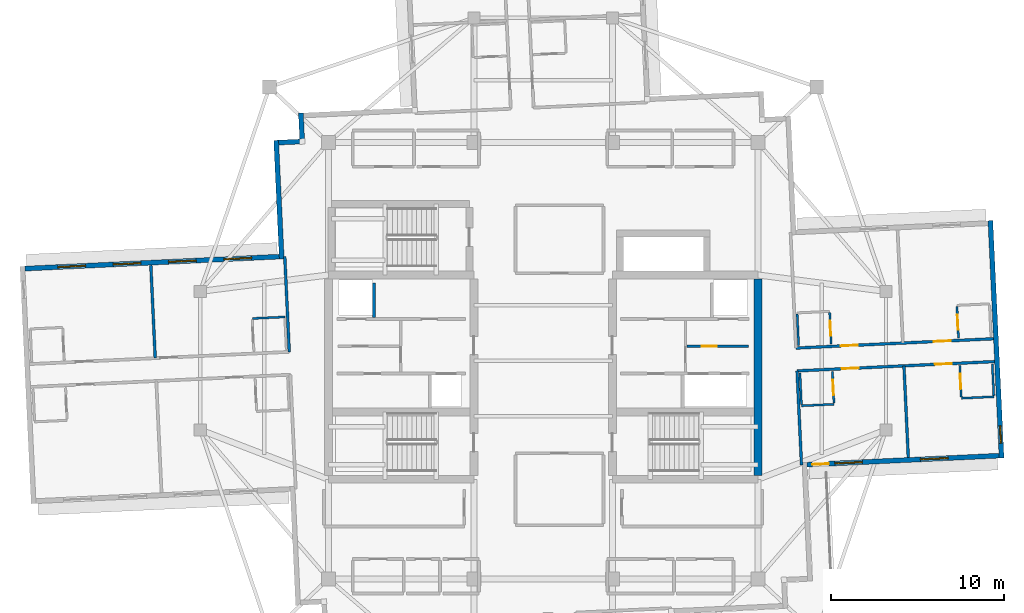
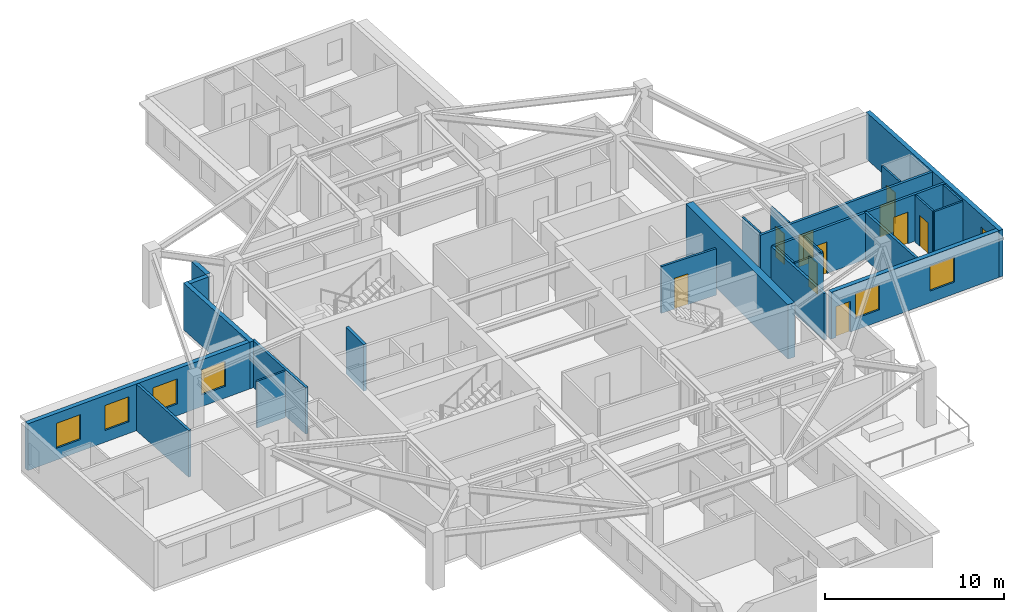
# One storey, part 6 of 13: 25 walls, 10 doors, 7 windows, 17 openings.
"""IFC4 building model written with IfcOpenShell, lengths in metres."""

from ifc_helpers import new_model, si_unit, direction, frame, frame_2d, origin, place, context, subcontext, project, spatial, rectangle, extrude, material, layer, layer_set, type_object, element, fill, save


model = new_model("IFC4")

# Units and contexts
model_context = context("Model", 3, precision=1e-05, world=origin(), true_north=direction((0.0, 1.0)))
body_context = subcontext(model_context, "Body", "Model", "MODEL_VIEW")
ifc_project = project(units=[si_unit("LENGTHUNIT", "METRE"), si_unit("AREAUNIT", "SQUARE_METRE"), si_unit("VOLUMEUNIT", "CUBIC_METRE"), si_unit("PLANEANGLEUNIT", "RADIAN"), si_unit("MASSUNIT", "GRAM", prefix="KILO")], contexts=[model_context])

# Site, building, storey
site_placement = place(None, origin())
site = spatial("IfcSite", under=ifc_project, at=site_placement, CompositionType="ELEMENT")
building_placement = place(site_placement, origin())
building = spatial("IfcBuilding", under=site, at=building_placement, Name="Qingluan Cross Belvedere", CompositionType="ELEMENT")
storey_placement = place(building_placement, frame((0.0, 0.0, 277.199951171875)))
storey = spatial("IfcBuildingStorey", under=building, at=storey_placement, Name="L69", CompositionType="ELEMENT", Elevation=277.199951171875)

# Wall
ifc_material_1 = material(Name="Concrete C50", Category="concrete")
ifc_layer_1 = layer(ifc_material_1, 0.449951171875, Name="CoreShearWall_450")
ifc_layer_set_1 = layer_set([ifc_layer_1], Name="Concrete C50")
wall_type_1 = type_object("IfcWallType", Name="CoreShearWall_450", PredefinedType="SHEAR", material=ifc_layer_set_1)
wall_1_placement = place(storey_placement, frame((12.39990234375, -6.6201171875, 0.0), z_axis=(0.0, 0.0, 1.0), x_axis=(0.0, 1.0, 0.0)))
element("IfcWall", 1, at=wall_1_placement, inside=storey, type_object=wall_type_1, Name="Split core E shear wall L69-E", PredefinedType="SHEAR", context=body_context, shape_type="SweptSolid", body=[
    extrude(rectangle(XDim=11.340087890625, YDim=0.449951171875, at=frame_2d((5.669921875, 0.0))), origin(), (0.0, 0.0, 1.0), 3.699951171875),
])

# Wall, opening, door
ifc_material_2 = material(Name="Gypsum plasterboard on steel stud acoustic partition", Category="steel")
ifc_layer_2 = layer(ifc_material_2, 0.159912109375, Name="CorridorPartition_160")
ifc_layer_set_2 = layer_set([ifc_layer_2], Name="Gypsum plasterboard on steel stud acoustic partition")
wall_type_2 = type_object("IfcWallType", Name="CorridorPartition_160", PredefinedType="PARTITIONING", material=ifc_layer_set_2)
wall_2_placement = place(storey_placement, frame((8.298095703125, 0.830078125, 0.0), z_axis=(0.0, 0.0, 1.0), x_axis=(1.0, 0.0, 0.0)))
wall_2 = element("IfcWall", 2, at=wall_2_placement, inside=storey, type_object=wall_type_2, Name="Partition L69:e", PredefinedType="PARTITIONING", context=body_context, shape_type="SweptSolid", body=[
    extrude(rectangle(XDim=3.552001953125, YDim=0.139892578125, at=frame_2d((1.77587890625, 0.0))), origin(), (0.0, 0.0, 1.0), 3.170166015625),
])
opening_1_placement = place(wall_2_placement, frame((0.85009765625, 0.0, 0.0)))
opening_1 = element("IfcOpeningElement", 3, at=opening_1_placement, cuts=wall_2, Name="Opening FD-B10", PredefinedType="OPENING", context=body_context, shape_type="SweptSolid", body=[
    extrude(rectangle(XDim=0.8798828125, YDim=2.10009765625, at=frame_2d((0.43994140625, 1.050048828125))), frame((0.0, 0.079833984375, 0.0), z_axis=(0.0, -1.0, 0.0), x_axis=(1.0, 0.0, 0.0)), (0.0, 0.0, 1.0), 0.159912109375),
])
ifc_material_3 = material(Name="Steel Class B service fire door", Category="steel")
door_type_1 = type_object("IfcDoorType", Name="RiserServiceFireDoor_FDB", OperationType="NOTDEFINED", PredefinedType="DOOR", material=ifc_material_3)
door_1_placement = place(opening_1_placement, origin())
door_1 = element("IfcDoor", 4, at=door_1_placement, inside=storey, type_object=door_type_1, Name="Service closet inner door L69", OperationType="SINGLE_SWING_LEFT", OverallHeight=2.10009765625, OverallWidth=0.8798828125, PredefinedType="DOOR", context=body_context, shape_type="SweptSolid", body=[
    extrude(rectangle(XDim=0.8798828125, YDim=2.10009765625, at=frame_2d((0.43994140625, 1.050048828125))), frame((0.0, 0.02490234375, 0.0), z_axis=(0.0, -1.0, 0.0), x_axis=(1.0, 0.0, 0.0)), (0.0, 0.0, 1.0), 0.050048828125),
])
fill(opening_1, door_1)

# Wall, openings, doors
wall_3_placement = place(storey_placement, frame((14.601806640625, 0.728759765625, 0.0), z_axis=(0.0, 0.0, 1.0), x_axis=(0.998890819817, 0.047086410829, 0.0)))
wall_3 = element("IfcWall", 5, at=wall_3_placement, inside=storey, type_object=wall_type_2, Name="Partition L69:E:c0", PredefinedType="PARTITIONING", context=body_context, shape_type="SweptSolid", body=[
    extrude(rectangle(XDim=11.412109375, YDim=0.159912109375, at=frame_2d((5.7060546875, 0.0))), origin(), (0.0, 0.0, 1.0), 3.170166015625),
])
opening_2_placement = place(wall_3_placement, frame((2.597900390625, 0.0, 0.0)))
opening_2 = element("IfcOpeningElement", 6, at=opening_2_placement, cuts=wall_3, Name="Opening GD-10", PredefinedType="OPENING", context=body_context, shape_type="SweptSolid", body=[
    extrude(rectangle(XDim=0.9599609375, YDim=2.14990234375, at=frame_2d((0.47998046875, 1.074951171875))), frame((0.0, 0.08984375, 0.0), z_axis=(0.0, -1.0, 0.0), x_axis=(1.0, 0.0, 0.0)), (0.0, 0.0, 1.0), 0.179931640625),
])
opening_3_placement = place(wall_3_placement, frame((7.97412109375, 0.0, 0.0)))
opening_3 = element("IfcOpeningElement", 7, at=opening_3_placement, cuts=wall_3, Name="Opening GD-10", PredefinedType="OPENING", context=body_context, shape_type="SweptSolid", body=[
    extrude(rectangle(XDim=0.9599609375, YDim=2.14990234375, at=frame_2d((0.47998046875, 1.074951171875))), frame((0.0, 0.08984375, 0.0), z_axis=(0.0, -1.0, 0.0), x_axis=(1.0, 0.0, 0.0)), (0.0, 0.0, 1.0), 0.179931640625),
])
ifc_material_4 = material(Name="Timber oak fire-rated acoustic guestroom door", Category="wood")
door_type_2 = type_object("IfcDoorType", Name="GuestEntryDoor_FD60", OperationType="NOTDEFINED", PredefinedType="DOOR", material=ifc_material_4)
door_2_placement = place(opening_2_placement, origin())
door_2 = element("IfcDoor", 8, at=door_2_placement, inside=storey, type_object=door_type_2, Name="Guest entry fire door 6901", OperationType="SINGLE_SWING_LEFT", OverallHeight=2.14990234375, OverallWidth=0.9599609375, PredefinedType="DOOR", context=body_context, shape_type="SweptSolid", body=[
    extrude(rectangle(XDim=0.9599609375, YDim=2.14990234375, at=frame_2d((0.47998046875, 1.074951171875))), frame((0.0, 0.02490234375, 0.0), z_axis=(0.0, -1.0, 0.0), x_axis=(1.0, 0.0, 0.0)), (0.0, 0.0, 1.0), 0.050048828125),
])
fill(opening_2, door_2)
door_3_placement = place(opening_3_placement, origin())
door_3 = element("IfcDoor", 9, at=door_3_placement, inside=storey, type_object=door_type_2, Name="Guest entry fire door 6902", OperationType="SINGLE_SWING_LEFT", OverallHeight=2.14990234375, OverallWidth=0.9599609375, PredefinedType="DOOR", context=body_context, shape_type="SweptSolid", body=[
    extrude(rectangle(XDim=0.9599609375, YDim=2.14990234375, at=frame_2d((0.47998046875, 1.074951171875))), frame((0.0, 0.02490234375, 0.0), z_axis=(0.0, -1.0, 0.0), x_axis=(1.0, 0.0, 0.0)), (0.0, 0.0, 1.0), 0.050048828125),
])
fill(opening_3, door_3)

wall_4_placement = place(storey_placement, frame((14.6640625, -0.58984375, 0.0), z_axis=(0.0, 0.0, 1.0), x_axis=(0.998889813379, 0.047107756555, 0.0)))
wall_4 = element("IfcWall", 10, at=wall_4_placement, inside=storey, type_object=wall_type_2, Name="Partition L69:E:c1", PredefinedType="PARTITIONING", context=body_context, shape_type="SweptSolid", body=[
    extrude(rectangle(XDim=11.412109375, YDim=0.159912109375, at=frame_2d((5.7060546875, 0.0))), origin(), (0.0, 0.0, 1.0), 3.170166015625),
])
opening_4_placement = place(wall_4_placement, frame((2.597900390625, 0.0, 0.0)))
opening_4 = element("IfcOpeningElement", 11, at=opening_4_placement, cuts=wall_4, Name="Opening GD-10", PredefinedType="OPENING", context=body_context, shape_type="SweptSolid", body=[
    extrude(rectangle(XDim=0.9599609375, YDim=2.14990234375, at=frame_2d((0.47998046875, 1.074951171875))), frame((0.0, 0.08984375, 0.0), z_axis=(0.0, -1.0, 0.0), x_axis=(1.0, 0.0, 0.0)), (0.0, 0.0, 1.0), 0.179931640625),
])
opening_5_placement = place(wall_4_placement, frame((7.97412109375, 0.0, 0.0)))
opening_5 = element("IfcOpeningElement", 12, at=opening_5_placement, cuts=wall_4, Name="Opening GD-10", PredefinedType="OPENING", context=body_context, shape_type="SweptSolid", body=[
    extrude(rectangle(XDim=0.9599609375, YDim=2.14990234375, at=frame_2d((0.47998046875, 1.074951171875))), frame((0.0, 0.08984375, 0.0), z_axis=(0.0, -1.0, 0.0), x_axis=(1.0, 0.0, 0.0)), (0.0, 0.0, 1.0), 0.179931640625),
])
door_4_placement = place(opening_4_placement, origin())
door_4 = element("IfcDoor", 13, at=door_4_placement, inside=storey, type_object=door_type_2, Name="Guest entry fire door 6903", OperationType="SINGLE_SWING_LEFT", OverallHeight=2.14990234375, OverallWidth=0.9599609375, PredefinedType="DOOR", context=body_context, shape_type="SweptSolid", body=[
    extrude(rectangle(XDim=0.9599609375, YDim=2.14990234375, at=frame_2d((0.47998046875, 1.074951171875))), frame((0.0, 0.02490234375, 0.0), z_axis=(0.0, -1.0, 0.0), x_axis=(1.0, 0.0, 0.0)), (0.0, 0.0, 1.0), 0.050048828125),
])
fill(opening_4, door_4)
door_5_placement = place(opening_5_placement, origin())
door_5 = element("IfcDoor", 14, at=door_5_placement, inside=storey, type_object=door_type_2, Name="Guest entry fire door 6904", OperationType="SINGLE_SWING_LEFT", OverallHeight=2.14990234375, OverallWidth=0.9599609375, PredefinedType="DOOR", context=body_context, shape_type="SweptSolid", body=[
    extrude(rectangle(XDim=0.9599609375, YDim=2.14990234375, at=frame_2d((0.47998046875, 1.074951171875))), frame((0.0, 0.02490234375, 0.0), z_axis=(0.0, -1.0, 0.0), x_axis=(1.0, 0.0, 0.0)), (0.0, 0.0, 1.0), 0.050048828125),
])
fill(opening_5, door_5)

# Walls
wall_5_placement = place(storey_placement, frame((14.6640625, -0.58984375, 0.0), z_axis=(0.0, 0.0, 1.0), x_axis=(0.047123759333, -0.998889058558, 0.0)))
element("IfcWall", 15, at=wall_5_placement, inside=storey, type_object=wall_type_2, Name="Partition L69:E:s1", PredefinedType="PARTITIONING", context=body_context, shape_type="SweptSolid", body=[
    extrude(rectangle(XDim=5.43994140625, YDim=0.159912109375, at=frame_2d((2.719970703125, 0.0))), origin(), (0.0, 0.0, 1.0), 3.170166015625),
])
wall_6_placement = place(storey_placement, frame((20.837158203125, -0.298828125, 0.0), z_axis=(0.0, 0.0, 1.0), x_axis=(0.04710265772, -0.998890053828, 0.0)))
element("IfcWall", 16, at=wall_6_placement, inside=storey, type_object=wall_type_2, Name="Partition L69:E:d1_0", PredefinedType="PARTITIONING", context=body_context, shape_type="SweptSolid", body=[
    extrude(rectangle(XDim=5.2919921875, YDim=0.159912109375, at=frame_2d((2.64599609375, 0.0))), origin(), (0.0, 0.0, 1.0), 3.170166015625),
])
wall_7_placement = place(storey_placement, frame((-14.660400390625, 0.510009765625, 0.0), z_axis=(0.0, 0.0, 1.0), x_axis=(-0.04710493239, 0.998889946563, 0.0)))
element("IfcWall", 17, at=wall_7_placement, inside=storey, type_object=wall_type_2, Name="Partition L69:W:s0", PredefinedType="PARTITIONING", context=body_context, shape_type="SweptSolid", body=[
    extrude(rectangle(XDim=5.519775390625, YDim=0.159912109375, at=frame_2d((2.759765625, 0.0))), origin(), (0.0, 0.0, 1.0), 3.170166015625),
])
wall_8_placement = place(storey_placement, frame((-22.401611328125, 0.14501953125, 0.0), z_axis=(0.0, 0.0, 1.0), x_axis=(-0.047128973049, 0.998888812581, 0.0)))
element("IfcWall", 18, at=wall_8_placement, inside=storey, type_object=wall_type_2, Name="Partition L69:W:d0_0", PredefinedType="PARTITIONING", context=body_context, shape_type="SweptSolid", body=[
    extrude(rectangle(XDim=5.371826171875, YDim=0.159912109375, at=frame_2d((2.68603515625, 0.0))), origin(), (0.0, 0.0, 1.0), 3.170166015625),
])

# Wall, opening, door
ifc_material_5 = material(Name="Moisture-resistant gypsum board lining")
ifc_layer_3 = layer(ifc_material_5, 0.1201171875, Name="EnsuiteWetPartition_120")
ifc_layer_set_3 = layer_set([ifc_layer_3], Name="Moisture-resistant gypsum board lining")
wall_type_3 = type_object("IfcWallType", Name="EnsuiteWetPartition_120", PredefinedType="PARTITIONING", material=ifc_layer_set_3)
wall_9_placement = place(storey_placement, frame((16.633056640625, 0.964599609375, 0.0), z_axis=(0.0, 0.0, 1.0), x_axis=(-0.047080807099, 0.998891083954, 0.0)))
wall_9 = element("IfcWall", 19, at=wall_9_placement, inside=storey, type_object=wall_type_3, Name="Partition L69:E:bs0_0", PredefinedType="PARTITIONING", context=body_context, shape_type="SweptSolid", body=[
    extrude(rectangle(XDim=1.820068359375, YDim=0.1201171875, at=frame_2d((0.91015625, 0.0))), origin(), (0.0, 0.0, 1.0), 3.170166015625),
])
opening_6_placement = place(wall_9_placement, frame((0.469970703125, 0.0, 0.0)))
opening_6 = element("IfcOpeningElement", 20, at=opening_6_placement, cuts=wall_9, Name="Opening BD-09", PredefinedType="OPENING", context=body_context, shape_type="SweptSolid", body=[
    extrude(rectangle(XDim=0.8798828125, YDim=2.10009765625, at=frame_2d((0.43994140625, 1.050048828125))), frame((0.0, 0.070068359375, 0.0), z_axis=(0.0, -1.0, 0.0), x_axis=(1.0, 0.0, 0.0)), (0.0, 0.0, 1.0), 0.14013671875),
])
ifc_material_6 = material(Name="Moisture-sealed timber en-suite door", Category="wood")
door_type_3 = type_object("IfcDoorType", Name="BathroomDoor_880", OperationType="NOTDEFINED", PredefinedType="DOOR", material=ifc_material_6)
door_6_placement = place(opening_6_placement, origin())
door_6 = element("IfcDoor", 21, at=door_6_placement, inside=storey, type_object=door_type_3, Name="Bathroom door 6901", OperationType="SINGLE_SWING_RIGHT", OverallHeight=2.10009765625, OverallWidth=0.8798828125, PredefinedType="DOOR", context=body_context, shape_type="SweptSolid", body=[
    extrude(rectangle(XDim=0.8798828125, YDim=2.10009765625, at=frame_2d((0.43994140625, 1.050048828125))), frame((0.0, 0.02490234375, 0.0), z_axis=(0.0, -1.0, 0.0), x_axis=(1.0, 0.0, 0.0)), (0.0, 0.0, 1.0), 0.050048828125),
])
fill(opening_6, door_6)

# Wall
wall_10_placement = place(storey_placement, frame((14.755126953125, 0.8759765625, 0.0), z_axis=(0.0, 0.0, 1.0), x_axis=(-0.047080807099, 0.998891083954, 0.0)))
element("IfcWall", 22, at=wall_10_placement, inside=storey, type_object=wall_type_3, Name="Partition L69:E:bw0_0", PredefinedType="PARTITIONING", context=body_context, shape_type="SweptSolid", body=[
    extrude(rectangle(XDim=1.820068359375, YDim=0.1201171875, at=frame_2d((0.91015625, 0.0))), origin(), (0.0, 0.0, 1.0), 3.170166015625),
])

# Wall, opening, door
wall_11_placement = place(storey_placement, frame((23.98486328125, 1.311279296875, 0.0), z_axis=(0.0, 0.0, 1.0), x_axis=(-0.047080807099, 0.998891083954, 0.0)))
wall_11 = element("IfcWall", 23, at=wall_11_placement, inside=storey, type_object=wall_type_3, Name="Partition L69:E:bs0_1", PredefinedType="PARTITIONING", context=body_context, shape_type="SweptSolid", body=[
    extrude(rectangle(XDim=1.820068359375, YDim=0.1201171875, at=frame_2d((0.91015625, 0.0))), origin(), (0.0, 0.0, 1.0), 3.170166015625),
])
opening_7_placement = place(wall_11_placement, frame((0.469970703125, 0.0, 0.0)))
opening_7 = element("IfcOpeningElement", 24, at=opening_7_placement, cuts=wall_11, Name="Opening BD-09", PredefinedType="OPENING", context=body_context, shape_type="SweptSolid", body=[
    extrude(rectangle(XDim=0.8798828125, YDim=2.10009765625, at=frame_2d((0.43994140625, 1.050048828125))), frame((0.0, 0.070068359375, 0.0), z_axis=(0.0, -1.0, 0.0), x_axis=(1.0, 0.0, 0.0)), (0.0, 0.0, 1.0), 0.14013671875),
])
door_7_placement = place(opening_7_placement, origin())
door_7 = element("IfcDoor", 25, at=door_7_placement, inside=storey, type_object=door_type_3, Name="Bathroom door 6902", OperationType="SINGLE_SWING_RIGHT", OverallHeight=2.10009765625, OverallWidth=0.8798828125, PredefinedType="DOOR", context=body_context, shape_type="SweptSolid", body=[
    extrude(rectangle(XDim=0.8798828125, YDim=2.10009765625, at=frame_2d((0.43994140625, 1.050048828125))), frame((0.0, 0.02490234375, 0.0), z_axis=(0.0, -1.0, 0.0), x_axis=(1.0, 0.0, 0.0)), (0.0, 0.0, 1.0), 0.050048828125),
])
fill(opening_7, door_7)

wall_12_placement = place(storey_placement, frame((16.794189453125, -2.45166015625, 0.0), z_axis=(0.0, 0.0, 1.0), x_axis=(-0.047080807099, 0.998891083954, 0.0)))
wall_12 = element("IfcWall", 26, at=wall_12_placement, inside=storey, type_object=wall_type_3, Name="Partition L69:E:bs1_0", PredefinedType="PARTITIONING", context=body_context, shape_type="SweptSolid", body=[
    extrude(rectangle(XDim=1.820068359375, YDim=0.1201171875, at=frame_2d((0.91015625, 0.0))), origin(), (0.0, 0.0, 1.0), 3.170166015625),
])
opening_8_placement = place(wall_12_placement, frame((0.469970703125, 0.0, 0.0)))
opening_8 = element("IfcOpeningElement", 27, at=opening_8_placement, cuts=wall_12, Name="Opening BD-09", PredefinedType="OPENING", context=body_context, shape_type="SweptSolid", body=[
    extrude(rectangle(XDim=0.8798828125, YDim=2.10009765625, at=frame_2d((0.43994140625, 1.050048828125))), frame((0.0, 0.070068359375, 0.0), z_axis=(0.0, -1.0, 0.0), x_axis=(1.0, 0.0, 0.0)), (0.0, 0.0, 1.0), 0.14013671875),
])
door_8_placement = place(opening_8_placement, origin())
door_8 = element("IfcDoor", 28, at=door_8_placement, inside=storey, type_object=door_type_3, Name="Bathroom door 6903", OperationType="SINGLE_SWING_RIGHT", OverallHeight=2.10009765625, OverallWidth=0.8798828125, PredefinedType="DOOR", context=body_context, shape_type="SweptSolid", body=[
    extrude(rectangle(XDim=0.8798828125, YDim=2.10009765625, at=frame_2d((0.43994140625, 1.050048828125))), frame((0.0, 0.02490234375, 0.0), z_axis=(0.0, -1.0, 0.0), x_axis=(1.0, 0.0, 0.0)), (0.0, 0.0, 1.0), 0.050048828125),
])
fill(opening_8, door_8)

# Walls
wall_13_placement = place(storey_placement, frame((14.916259765625, -2.540283203125, 0.0), z_axis=(0.0, 0.0, 1.0), x_axis=(-0.047080807099, 0.998891083954, 0.0)))
element("IfcWall", 29, at=wall_13_placement, inside=storey, type_object=wall_type_3, Name="Partition L69:E:bw1_0", PredefinedType="PARTITIONING", context=body_context, shape_type="SweptSolid", body=[
    extrude(rectangle(XDim=1.820068359375, YDim=0.1201171875, at=frame_2d((0.91015625, 0.0))), origin(), (0.0, 0.0, 1.0), 3.170166015625),
])
wall_14_placement = place(storey_placement, frame((14.919189453125, -2.60498046875, 0.0), z_axis=(0.0, 0.0, 1.0), x_axis=(0.998894425757, 0.04700985207, 0.0)))
element("IfcWall", 30, at=wall_14_placement, inside=storey, type_object=wall_type_3, Name="Partition L69:E:bc1_0", PredefinedType="PARTITIONING", context=body_context, shape_type="SweptSolid", body=[
    extrude(rectangle(XDim=1.880126953125, YDim=0.1201171875, at=frame_2d((0.93994140625, 0.0))), origin(), (0.0, 0.0, 1.0), 3.170166015625),
])

# Wall, opening, door
wall_15_placement = place(storey_placement, frame((24.14599609375, -2.10498046875, 0.0), z_axis=(0.0, 0.0, 1.0), x_axis=(-0.047080807099, 0.998891083954, 0.0)))
wall_15 = element("IfcWall", 31, at=wall_15_placement, inside=storey, type_object=wall_type_3, Name="Partition L69:E:bs1_1", PredefinedType="PARTITIONING", context=body_context, shape_type="SweptSolid", body=[
    extrude(rectangle(XDim=1.820068359375, YDim=0.1201171875, at=frame_2d((0.91015625, 0.0))), origin(), (0.0, 0.0, 1.0), 3.170166015625),
])
opening_9_placement = place(wall_15_placement, frame((0.469970703125, 0.0, 0.0)))
opening_9 = element("IfcOpeningElement", 32, at=opening_9_placement, cuts=wall_15, Name="Opening BD-09", PredefinedType="OPENING", context=body_context, shape_type="SweptSolid", body=[
    extrude(rectangle(XDim=0.8798828125, YDim=2.10009765625, at=frame_2d((0.43994140625, 1.050048828125))), frame((0.0, 0.070068359375, 0.0), z_axis=(0.0, -1.0, 0.0), x_axis=(1.0, 0.0, 0.0)), (0.0, 0.0, 1.0), 0.14013671875),
])
door_9_placement = place(opening_9_placement, origin())
door_9 = element("IfcDoor", 33, at=door_9_placement, inside=storey, type_object=door_type_3, Name="Bathroom door 6904", OperationType="SINGLE_SWING_RIGHT", OverallHeight=2.10009765625, OverallWidth=0.8798828125, PredefinedType="DOOR", context=body_context, shape_type="SweptSolid", body=[
    extrude(rectangle(XDim=0.8798828125, YDim=2.10009765625, at=frame_2d((0.43994140625, 1.050048828125))), frame((0.0, 0.02490234375, 0.0), z_axis=(0.0, -1.0, 0.0), x_axis=(1.0, 0.0, 0.0)), (0.0, 0.0, 1.0), 0.050048828125),
])
fill(opening_9, door_9)

# Walls
wall_16_placement = place(storey_placement, frame((26.02392578125, -2.016357421875, 0.0), z_axis=(0.0, 0.0, 1.0), x_axis=(-0.047220968666, 0.998884467853, 0.0)))
element("IfcWall", 34, at=wall_16_placement, inside=storey, type_object=wall_type_3, Name="Partition L69:E:bw1_1", PredefinedType="PARTITIONING", context=body_context, shape_type="SweptSolid", body=[
    extrude(rectangle(XDim=1.81982421875, YDim=0.1201171875, at=frame_2d((0.909912109375, 0.0))), origin(), (0.0, 0.0, 1.0), 3.170166015625),
])
for number, where, z_axis, x_axis, name in (
    (35, (24.14892578125, -2.169921875, 0.0), (0.0, 0.0, 1.0), (0.998888319371, 0.047139425368, 0.0), "Partition L69:E:bc1_1"),
    (36, (-14.91552734375, 2.525146484375, 0.0), (0.0, 0.0, 1.0), (-0.998888319371, -0.047139425368, 0.0), "Partition L69:W:bn0_0"),
):
    element("IfcWall", number, at=place(storey_placement, frame(where, z_axis=z_axis, x_axis=x_axis)), inside=storey, type_object=wall_type_3, Name=name, PredefinedType="PARTITIONING", context=body_context, shape_type="SweptSolid", body=[
        extrude(rectangle(XDim=1.880126953125, YDim=0.1201171875, at=frame_2d((0.93994140625, 0.0))), origin(), (0.0, 0.0, 1.0), 3.170166015625),
    ])

# Wall, openings, windows, door
ifc_material_7 = material(Name="Precast concrete C45", Category="concrete")
ifc_layer_4 = layer(ifc_material_7, 0.280029296875, Name="PrecastFacadeWall_280")
ifc_layer_set_4 = layer_set([ifc_layer_4], Name="Precast concrete C45")
wall_type_4 = type_object("IfcWallType", Name="PrecastFacadeWall_280", PredefinedType="STANDARD", material=ifc_layer_set_4)
wall_17_placement = place(storey_placement, frame((15.239990234375, -6.0087890625, 0.0), z_axis=(0.0, 0.0, 1.0), x_axis=(0.998889582088, 0.047112660681, 0.0)))
wall_17 = element("IfcWall", 37, at=wall_17_placement, inside=storey, type_object=wall_type_4, Name="Facade wall L69-EA", PredefinedType="STANDARD", context=body_context, shape_type="SweptSolid", body=[
    extrude(rectangle(XDim=11.099853515625, YDim=0.280029296875, at=frame_2d((5.5498046875, 0.0))), origin(), (0.0, 0.0, 1.0), 3.179931640625),
])
opening_10_placement = place(wall_17_placement, frame((1.60009765625, 0.0, 0.800048828125)))
opening_10 = element("IfcOpeningElement", 38, at=opening_10_placement, cuts=wall_17, Name="Opening W-04", PredefinedType="OPENING", context=body_context, shape_type="SweptSolid", body=[
    extrude(rectangle(XDim=1.60009765625, YDim=1.699951171875, at=frame_2d((0.800048828125, 0.85009765625))), frame((0.0, 0.14990234375, 0.0), z_axis=(0.0, -1.0, 0.0), x_axis=(1.0, 0.0, 0.0)), (0.0, 0.0, 1.0), 0.300048828125),
])
opening_11_placement = place(wall_17_placement, frame((6.550048828125, 0.0, 0.800048828125)))
opening_11 = element("IfcOpeningElement", 39, at=opening_11_placement, cuts=wall_17, Name="Opening W-04", PredefinedType="OPENING", context=body_context, shape_type="SweptSolid", body=[
    extrude(rectangle(XDim=1.60009765625, YDim=1.699951171875, at=frame_2d((0.800048828125, 0.85009765625))), frame((0.0, 0.14990234375, 0.0), z_axis=(0.0, -1.0, 0.0), x_axis=(1.0, 0.0, 0.0)), (0.0, 0.0, 1.0), 0.300048828125),
])
opening_12_placement = place(wall_17_placement, frame((0.300048828125, 0.0, 0.0)))
opening_12 = element("IfcOpeningElement", 40, at=opening_12_placement, cuts=wall_17, Name="Opening WD-10", PredefinedType="OPENING", context=body_context, shape_type="SweptSolid", body=[
    extrude(rectangle(XDim=0.9599609375, YDim=2.10009765625, at=frame_2d((0.47998046875, 1.050048828125))), frame((0.0, 0.14990234375, 0.0), z_axis=(0.0, -1.0, 0.0), x_axis=(1.0, 0.0, 0.0)), (0.0, 0.0, 1.0), 0.300048828125),
])
ifc_material_8 = material(Name="Thermally broken triple Low-E glass in aluminium frame", Category="aluminium")
window_type_1 = type_object("IfcWindowType", Name="SuiteCornerWin_1600x1700", PartitioningType="SINGLE_PANEL", PredefinedType="WINDOW", material=ifc_material_8)
window_1_placement = place(opening_10_placement, origin())
window_1 = element("IfcWindow", 41, at=window_1_placement, inside=storey, type_object=window_type_1, Name="Ribbon window L69-EA-1", OverallHeight=1.699951171875, OverallWidth=1.60009765625, PartitioningType="SINGLE_PANEL", PredefinedType="WINDOW", context=body_context, shape_type="SweptSolid", body=[
    extrude(rectangle(XDim=1.60009765625, YDim=1.699951171875, at=frame_2d((0.800048828125, 0.85009765625))), frame((0.0, 0.030029296875, 0.0), z_axis=(0.0, -1.0, 0.0), x_axis=(1.0, 0.0, 0.0)), (0.0, 0.0, 1.0), 0.06005859375),
])
fill(opening_10, window_1)
window_2_placement = place(opening_11_placement, origin())
window_2 = element("IfcWindow", 42, at=window_2_placement, inside=storey, type_object=window_type_1, Name="Ribbon window L69-EA-2", OverallHeight=1.699951171875, OverallWidth=1.60009765625, PartitioningType="SINGLE_PANEL", PredefinedType="WINDOW", context=body_context, shape_type="SweptSolid", body=[
    extrude(rectangle(XDim=1.60009765625, YDim=1.699951171875, at=frame_2d((0.800048828125, 0.85009765625))), frame((0.0, 0.030029296875, 0.0), z_axis=(0.0, -1.0, 0.0), x_axis=(1.0, 0.0, 0.0)), (0.0, 0.0, 1.0), 0.06005859375),
])
fill(opening_11, window_2)
ifc_material_9 = material(Name="Thermally broken aluminium and Low-E glass", Category="aluminium")
door_type_4 = type_object("IfcDoorType", Name="WinterGardenDoor_096", OperationType="NOTDEFINED", PredefinedType="DOOR", material=ifc_material_9)
door_10_placement = place(opening_12_placement, origin())
door_10 = element("IfcDoor", 43, at=door_10_placement, inside=storey, type_object=door_type_4, Name="Outdoor terrace access door L69-spi", OperationType="SINGLE_SWING_RIGHT", OverallHeight=2.10009765625, OverallWidth=0.9599609375, PredefinedType="DOOR", context=body_context, shape_type="SweptSolid", body=[
    extrude(rectangle(XDim=0.9599609375, YDim=2.10009765625, at=frame_2d((0.47998046875, 1.050048828125))), frame((0.0, 0.02490234375, 0.0), z_axis=(0.0, -1.0, 0.0), x_axis=(1.0, 0.0, 0.0)), (0.0, 0.0, 1.0), 0.050048828125),
])
fill(opening_12, door_10)

# Wall, opening, window
wall_18_placement = place(storey_placement, frame((26.47412109375, -5.619140625, 0.0), z_axis=(0.0, 0.0, 1.0), x_axis=(-0.047101845086, 0.998890092147, 0.0)))
wall_18 = element("IfcWall", 44, at=wall_18_placement, inside=storey, type_object=wall_type_4, Name="Arm tip precast facade wall L69-E", PredefinedType="STANDARD", context=body_context, shape_type="SweptSolid", body=[
    extrude(rectangle(XDim=13.719970703125, YDim=0.280029296875, at=frame_2d((6.85986328125, 0.0))), origin(), (0.0, 0.0, 1.0), 3.179931640625),
])
opening_13_placement = place(wall_18_placement, frame((0.85009765625, 0.0, 0.85009765625)))
opening_13 = element("IfcOpeningElement", 45, at=opening_13_placement, cuts=wall_18, Name="Opening W-03", PredefinedType="OPENING", context=body_context, shape_type="SweptSolid", body=[
    extrude(rectangle(XDim=1.0, YDim=1.5, at=frame_2d((0.5, 0.75))), frame((0.0, 0.14990234375, 0.0), z_axis=(0.0, -1.0, 0.0), x_axis=(1.0, 0.0, 0.0)), (0.0, 0.0, 1.0), 0.300048828125),
])
ifc_material_10 = material(Name="Thermally broken triple Low-E glass in aluminium frame", Category="aluminium")
window_type_2 = type_object("IfcWindowType", Name="TriApexWin_1000x1500", PartitioningType="SINGLE_PANEL", PredefinedType="WINDOW", material=ifc_material_10)
window_3_placement = place(opening_13_placement, origin())
window_3 = element("IfcWindow", 46, at=window_3_placement, inside=storey, type_object=window_type_2, Name="Arm tip triangular window L69-E", OverallHeight=1.5, OverallWidth=1.0, PartitioningType="SINGLE_PANEL", PredefinedType="WINDOW", context=body_context, shape_type="SweptSolid", body=[
    extrude(rectangle(XDim=1.0, YDim=1.5, at=frame_2d((0.5, 0.75))), frame((0.0, 0.030029296875, 0.0), z_axis=(0.0, -1.0, 0.0), x_axis=(1.0, 0.0, 0.0)), (0.0, 0.0, 1.0), 0.06005859375),
])
fill(opening_13, window_3)

# Wall, openings, windows
wall_19_placement = place(storey_placement, frame((-15.239990234375, 6.0087890625, 0.0), z_axis=(0.0, 0.0, 1.0), x_axis=(-0.998890124275, -0.047101163748, 0.0)))
wall_19 = element("IfcWall", 47, at=wall_19_placement, inside=storey, type_object=wall_type_4, Name="Facade wall L69-WA", PredefinedType="STANDARD", context=body_context, shape_type="SweptSolid", body=[
    extrude(rectangle(XDim=14.699951171875, YDim=0.280029296875, at=frame_2d((7.35009765625, 0.0))), origin(), (0.0, 0.0, 1.0), 3.179931640625),
])
opening_14_placement = place(wall_19_placement, frame((1.60009765625, 0.0, 0.800048828125)))
opening_14 = element("IfcOpeningElement", 48, at=opening_14_placement, cuts=wall_19, Name="Opening W-04", PredefinedType="OPENING", context=body_context, shape_type="SweptSolid", body=[
    extrude(rectangle(XDim=1.60009765625, YDim=1.699951171875, at=frame_2d((0.800048828125, 0.85009765625))), frame((0.0, 0.14990234375, 0.0), z_axis=(0.0, -1.0, 0.0), x_axis=(1.0, 0.0, 0.0)), (0.0, 0.0, 1.0), 0.300048828125),
])
opening_15_placement = place(wall_19_placement, frame((4.800048828125, 0.0, 0.800048828125)))
opening_15 = element("IfcOpeningElement", 49, at=opening_15_placement, cuts=wall_19, Name="Opening W-04", PredefinedType="OPENING", context=body_context, shape_type="SweptSolid", body=[
    extrude(rectangle(XDim=1.60009765625, YDim=1.699951171875, at=frame_2d((0.800048828125, 0.85009765625))), frame((0.0, 0.14990234375, 0.0), z_axis=(0.0, -1.0, 0.0), x_axis=(1.0, 0.0, 0.0)), (0.0, 0.0, 1.0), 0.300048828125),
])
opening_16_placement = place(wall_19_placement, frame((8.0, 0.0, 0.800048828125)))
opening_16 = element("IfcOpeningElement", 50, at=opening_16_placement, cuts=wall_19, Name="Opening W-04", PredefinedType="OPENING", context=body_context, shape_type="SweptSolid", body=[
    extrude(rectangle(XDim=1.60009765625, YDim=1.699951171875, at=frame_2d((0.800048828125, 0.85009765625))), frame((0.0, 0.14990234375, 0.0), z_axis=(0.0, -1.0, 0.0), x_axis=(1.0, 0.0, 0.0)), (0.0, 0.0, 1.0), 0.300048828125),
])
opening_17_placement = place(wall_19_placement, frame((11.199951171875, 0.0, 0.800048828125)))
opening_17 = element("IfcOpeningElement", 51, at=opening_17_placement, cuts=wall_19, Name="Opening W-04", PredefinedType="OPENING", context=body_context, shape_type="SweptSolid", body=[
    extrude(rectangle(XDim=1.60009765625, YDim=1.699951171875, at=frame_2d((0.800048828125, 0.85009765625))), frame((0.0, 0.14990234375, 0.0), z_axis=(0.0, -1.0, 0.0), x_axis=(1.0, 0.0, 0.0)), (0.0, 0.0, 1.0), 0.300048828125),
])
window_4_placement = place(opening_14_placement, origin())
window_4 = element("IfcWindow", 52, at=window_4_placement, inside=storey, type_object=window_type_1, Name="Ribbon window L69-WA-1", OverallHeight=1.699951171875, OverallWidth=1.60009765625, PartitioningType="SINGLE_PANEL", PredefinedType="WINDOW", context=body_context, shape_type="SweptSolid", body=[
    extrude(rectangle(XDim=1.60009765625, YDim=1.699951171875, at=frame_2d((0.800048828125, 0.85009765625))), frame((0.0, 0.030029296875, 0.0), z_axis=(0.0, -1.0, 0.0), x_axis=(1.0, 0.0, 0.0)), (0.0, 0.0, 1.0), 0.06005859375),
])
fill(opening_14, window_4)
window_5_placement = place(opening_15_placement, origin())
window_5 = element("IfcWindow", 53, at=window_5_placement, inside=storey, type_object=window_type_1, Name="Ribbon window L69-WA-2", OverallHeight=1.699951171875, OverallWidth=1.60009765625, PartitioningType="SINGLE_PANEL", PredefinedType="WINDOW", context=body_context, shape_type="SweptSolid", body=[
    extrude(rectangle(XDim=1.60009765625, YDim=1.699951171875, at=frame_2d((0.800048828125, 0.85009765625))), frame((0.0, 0.030029296875, 0.0), z_axis=(0.0, -1.0, 0.0), x_axis=(1.0, 0.0, 0.0)), (0.0, 0.0, 1.0), 0.06005859375),
])
fill(opening_15, window_5)
window_6_placement = place(opening_16_placement, origin())
window_6 = element("IfcWindow", 54, at=window_6_placement, inside=storey, type_object=window_type_1, Name="Ribbon window L69-WA-3", OverallHeight=1.699951171875, OverallWidth=1.60009765625, PartitioningType="SINGLE_PANEL", PredefinedType="WINDOW", context=body_context, shape_type="SweptSolid", body=[
    extrude(rectangle(XDim=1.60009765625, YDim=1.699951171875, at=frame_2d((0.800048828125, 0.85009765625))), frame((0.0, 0.030029296875, 0.0), z_axis=(0.0, -1.0, 0.0), x_axis=(1.0, 0.0, 0.0)), (0.0, 0.0, 1.0), 0.06005859375),
])
fill(opening_16, window_6)
window_7_placement = place(opening_17_placement, origin())
window_7 = element("IfcWindow", 55, at=window_7_placement, inside=storey, type_object=window_type_1, Name="Ribbon window L69-WA-4", OverallHeight=1.699951171875, OverallWidth=1.60009765625, PartitioningType="SINGLE_PANEL", PredefinedType="WINDOW", context=body_context, shape_type="SweptSolid", body=[
    extrude(rectangle(XDim=1.60009765625, YDim=1.699951171875, at=frame_2d((0.800048828125, 0.85009765625))), frame((0.0, 0.030029296875, 0.0), z_axis=(0.0, -1.0, 0.0), x_axis=(1.0, 0.0, 0.0)), (0.0, 0.0, 1.0), 0.06005859375),
])
fill(opening_17, window_7)

# Walls
wall_20_placement = place(storey_placement, frame((-15.093505859375, 5.87548828125, 0.0), z_axis=(0.0, 0.0, 1.0), x_axis=(-0.04712043756, 0.998889215261, 0.0)))
element("IfcWall", 56, at=wall_20_placement, inside=storey, type_object=wall_type_4, Name="Corner wall L69-NW1", PredefinedType="STANDARD", context=body_context, shape_type="SweptSolid", body=[
    extrude(rectangle(XDim=6.85986328125, YDim=0.280029296875, at=frame_2d((3.429931640625, 0.0))), origin(), (0.0, 0.0, 1.0), 3.179931640625),
])
wall_21_placement = place(storey_placement, frame((-15.270263671875, 12.5947265625, 0.0), z_axis=(0.0, 0.0, 1.0), x_axis=(0.998893795343, 0.047023245574, 0.0)))
element("IfcWall", 57, at=wall_21_placement, inside=storey, type_object=wall_type_4, Name="Corner wall L69-NW2", PredefinedType="STANDARD", context=body_context, shape_type="SweptSolid", body=[
    extrude(rectangle(XDim=1.22021484375, YDim=0.280029296875, at=frame_2d((0.610107421875, 0.0))), origin(), (0.0, 0.0, 1.0), 3.179931640625),
])
wall_22_placement = place(storey_placement, frame((-13.918212890625, 12.798583984375, 0.0), z_axis=(0.0, 0.0, 1.0), x_axis=(-0.047201688113, 0.99888537913, 0.0)))
element("IfcWall", 58, at=wall_22_placement, inside=storey, type_object=wall_type_4, Name="Corner wall L69-NW3", PredefinedType="STANDARD", context=body_context, shape_type="SweptSolid", body=[
    extrude(rectangle(XDim=1.5, YDim=0.280029296875, at=frame_2d((0.75, 0.0))), origin(), (0.0, 0.0, 1.0), 3.179931640625),
])
ifc_material_11 = material(Name="Concrete C40", Category="concrete")
ifc_layer_5 = layer(ifc_material_11, 0.219970703125, Name="ShaftEnclosureWall_250")
ifc_layer_set_5 = layer_set([ifc_layer_5], Name="Concrete C40")
wall_type_5 = type_object("IfcWallType", Name="ShaftEnclosureWall_250", PredefinedType="SOLIDWALL", material=ifc_layer_set_5)
wall_23_placement = place(storey_placement, frame((-9.760009765625, 2.5, 0.0), z_axis=(0.0, 0.0, 1.0), x_axis=(0.0, 1.0, 0.0)))
element("IfcWall", 59, at=wall_23_placement, inside=storey, type_object=wall_type_5, Name="Hoistway enclosure divider FL1E L69", PredefinedType="SOLIDWALL", context=body_context, shape_type="SweptSolid", body=[
    extrude(rectangle(XDim=1.989990234375, YDim=0.179931640625, at=frame_2d((0.9951171875, 0.0))), origin(), (0.0, 0.0, 1.0), 3.170166015625),
])

save(model, "model.ifc")
